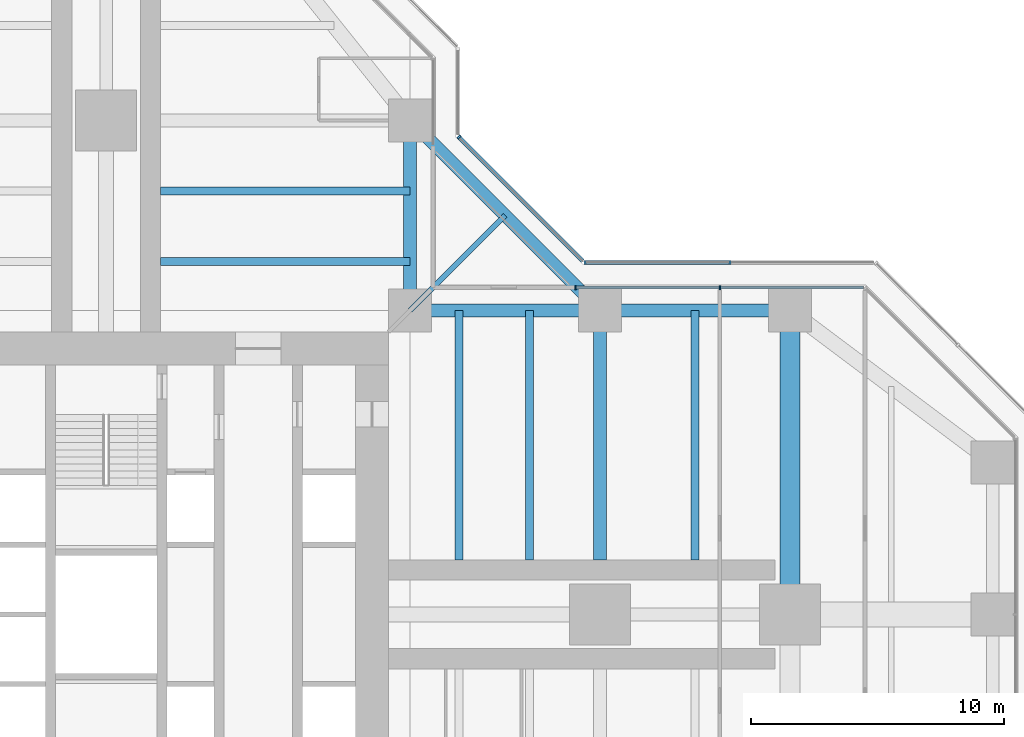
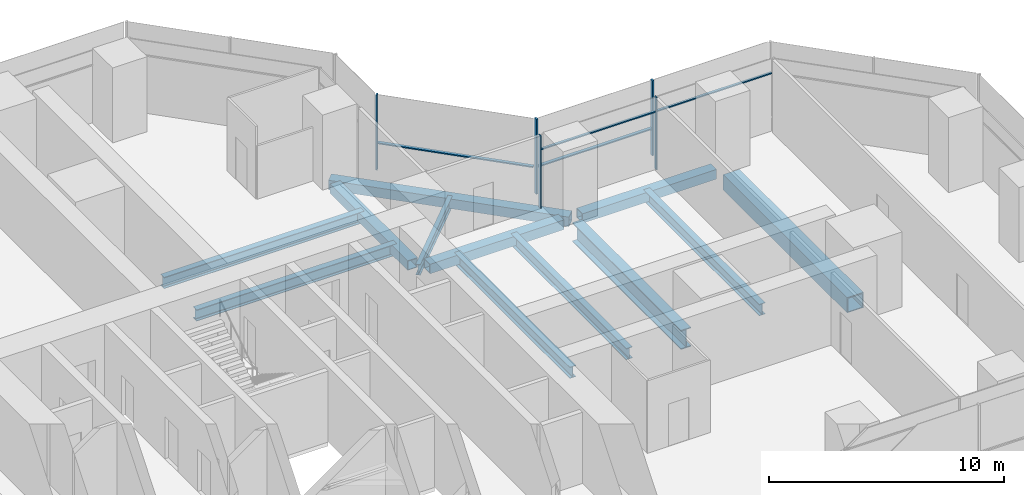
# One storey, part 9 of 20: 12 beams, 9 members, 3 elements without a shape of their own.
"""IFC4 building model written with IfcOpenShell, lengths in metres."""

from ifc_helpers import new_model, si_unit, direction, frame, origin, origin_2d, place, context, subcontext, project, spatial, rectangle, hollow_rectangle, i_section, extrude, material, material_profile, profile_set, type_object, element, aggregate, save


model = new_model("IFC4")

# Units and contexts
model_context = context("Model", 3, precision=1e-05, world=origin(), true_north=direction((0.0, 1.0)))
body_context = subcontext(model_context, "Body", "Model", "MODEL_VIEW")
ifc_project = project(units=[si_unit("LENGTHUNIT", "METRE"), si_unit("AREAUNIT", "SQUARE_METRE"), si_unit("VOLUMEUNIT", "CUBIC_METRE"), si_unit("PLANEANGLEUNIT", "RADIAN"), si_unit("MASSUNIT", "GRAM", prefix="KILO")], contexts=[model_context])

# Site, building, storey
site_placement = place(None, origin())
site = spatial("IfcSite", under=ifc_project, at=site_placement, CompositionType="ELEMENT")
building_placement = place(site_placement, origin())
building = spatial("IfcBuilding", under=site, at=building_placement, Name="Mizan Broadcast Tower", CompositionType="ELEMENT")
storey_placement = place(building_placement, frame((0.0, 0.0, 174.89990234375)))
storey = spatial("IfcBuildingStorey", under=building, at=storey_placement, Name="L40", CompositionType="ELEMENT", Elevation=174.89990234375)

# Beams
ifc_material_1 = material(Name="Steel S355", Category="steel")
ifc_material_profile_1 = material_profile(ifc_material_1, hollow_rectangle(XDim=0.5, YDim=0.5, WallThickness=0.030029296875, at=origin_2d()), Name="BOX 500x500x30")
ifc_profile_set_1 = profile_set([ifc_material_profile_1], Name="Steel S355")
beam_type_1 = type_object("IfcBeamType", Name="EDGE BEAM BOX 500x500x30", PredefinedType="SPANDREL", material=ifc_profile_set_1)
for number, where, z_axis, x_axis, name in (
    (1, (12.449951171875, 12.0, -0.3798828125), (1.0, 0.0, 0.0), (0.0, 1.0, 0.0), "Edge beam BOX 500x500x30 L40 east arm"),
    (2, (19.949951171875, 12.0, -0.3798828125), (1.0, 0.0, 0.0), (0.0, 1.0, 0.0), "Edge beam BOX 500x500x30 L40 east arm"),
    (3, (12.0, 12.449951171875, -0.3798828125), (0.0, 1.0, 0.0), (-1.0, 0.0, 0.0), "Edge beam BOX 500x500x30 L40 north arm"),
):
    element("IfcBeam", number, at=place(storey_placement, frame(where, z_axis=z_axis, x_axis=x_axis)), inside=storey, type_object=beam_type_1, Name=name, PredefinedType="SPANDREL", context=body_context, shape_type="SweptSolid", body=[
        extrude(hollow_rectangle(XDim=0.5, YDim=0.5, WallThickness=0.030029296875, at=origin_2d()), origin(), (0.0, 0.0, 1.0), 6.60009765625),
    ])
beam_1_placement = place(storey_placement, frame((19.5, 12.0, -0.3798828125), z_axis=(-0.707106781187, 0.707106781187, 0.0), x_axis=(-0.707106781187, -0.707106781187, 0.0)))
element("IfcBeam", 4, at=beam_1_placement, inside=storey, type_object=beam_type_1, Name="Winter garden edge beam L40 E", PredefinedType="SPANDREL", context=body_context, shape_type="SweptSolid", body=[
    extrude(hollow_rectangle(XDim=0.5, YDim=0.5, WallThickness=0.030029296875, at=origin_2d()), origin(), (0.0, 0.0, 1.0), 10.606689453125),
])
ifc_material_2 = material(Name="Steel S460", Category="steel")
ifc_material_profile_2 = material_profile(ifc_material_2, hollow_rectangle(XDim=0.800048828125, YDim=0.800048828125, WallThickness=0.050048828125, at=origin_2d()), Name="BOX 800x800x50")
ifc_profile_set_2 = profile_set([ifc_material_profile_2], Name="Steel S460")
beam_type_2 = type_object("IfcBeamType", Name="GIRDER BOX 800x800x50", PredefinedType="BEAM", material=ifc_profile_set_2)
beam_2_placement = place(storey_placement, frame((27.0, 11.280029296875, -0.52978515625), z_axis=(0.0, -1.0, 0.0), x_axis=(1.0, 0.0, 0.0)))
element("IfcBeam", 5, at=beam_2_placement, inside=storey, type_object=beam_type_2, Name="Girder BOX 800x800x50 L40 east arm", PredefinedType="BEAM", context=body_context, shape_type="SweptSolid", body=[
    extrude(hollow_rectangle(XDim=0.800048828125, YDim=0.800048828125, WallThickness=0.050048828125, at=origin_2d()), origin(), (0.0, 0.0, 1.0), 10.56005859375),
])
ifc_material_3 = material(Name="Steel S460", Category="steel")
ifc_material_profile_3 = material_profile(ifc_material_3, i_section(OverallWidth=0.5, OverallDepth=1.0, WebThickness=0.02490234375, FlangeThickness=0.050048828125, at=origin_2d()), Name="WPG 1000x500")
ifc_profile_set_3 = profile_set([ifc_material_profile_3], Name="Steel S460")
beam_type_3 = type_object("IfcBeamType", Name="GIRDER WPG 1000x500", PredefinedType="BEAM", material=ifc_profile_set_3)
beam_3_placement = place(storey_placement, frame((19.5, 11.408935546875, -0.6298828125), z_axis=(0.0, -1.0, 0.0), x_axis=(1.0, 0.0, 0.0)))
element("IfcBeam", 6, at=beam_3_placement, inside=storey, type_object=beam_type_3, Name="Girder WPG 1000x500 L40 east arm", PredefinedType="BEAM", context=body_context, shape_type="SweptSolid", body=[
    extrude(i_section(OverallWidth=0.5, OverallDepth=1.0, WebThickness=0.02490234375, FlangeThickness=0.050048828125, at=origin_2d()), origin(), (0.0, 0.0, 1.0), 9.259033203125),
])

# Curtain wall, members
ifc_material_4 = material(Name="Aluminium framed glazing", Category="aluminium")
curtain_wall_type_1 = type_object("IfcCurtainWallType", Name="INNER SKIN MID ZONE", PredefinedType="USERDEFINED", material=ifc_material_4)
curtain_wall_1_placement = place(storey_placement, origin())
curtain_wall_1 = element("IfcCurtainWall", 7, at=curtain_wall_1_placement, inside=storey, type_object=curtain_wall_type_1, Name="Inner skin mid zone L40 E side", ObjectType="INNER SKIN MID ZONE", PredefinedType="USERDEFINED")
ifc_material_5 = material(Name="Aluminium, pale anodised", Category="aluminium")
ifc_material_profile_4 = material_profile(ifc_material_5, rectangle(XDim=0.159912109375, YDim=0.06005859375, at=origin_2d()), Name="MULLION 160x60")
ifc_profile_set_4 = profile_set([ifc_material_profile_4], Name="Aluminium, pale anodised")
member_type_1 = type_object("IfcMemberType", Name="INNER SKIN MULLION 60x160", PredefinedType="MULLION", material=ifc_profile_set_4)
member_1_placement = place(storey_placement, frame((24.229248046875, 12.89990234375, 0.0), z_axis=(0.0, 0.0, 1.0), x_axis=(0.0, -1.0, 0.0)))
member_1 = element("IfcMember", 8, at=member_1_placement, type_object=member_type_1, Name="Inner skin mid zone L40 E side mullion 2", PredefinedType="MULLION", context=body_context, shape_type="SweptSolid", body=[
    extrude(rectangle(XDim=0.159912109375, YDim=0.06005859375, at=origin_2d()), origin(), (0.0, 0.0, 1.0), 3.77001953125),
])
member_2_placement = place(storey_placement, frame((18.530029296875, 12.89990234375, 0.0), z_axis=(0.0, 0.0, 1.0), x_axis=(0.0, -1.0, 0.0)))
member_2 = element("IfcMember", 9, at=member_2_placement, type_object=member_type_1, Name="Inner skin mid zone L40 E side mullion 3", PredefinedType="MULLION", context=body_context, shape_type="SweptSolid", body=[
    extrude(rectangle(XDim=0.159912109375, YDim=0.06005859375, at=origin_2d()), origin(), (0.0, 0.0, 1.0), 3.77001953125),
])
ifc_material_6 = material(Name="Aluminium, pale anodised", Category="aluminium")
ifc_material_profile_5 = material_profile(ifc_material_6, rectangle(XDim=0.1201171875, YDim=0.06005859375, at=origin_2d()), Name="TRANSOM 120x60")
ifc_profile_set_5 = profile_set([ifc_material_profile_5], Name="Aluminium, pale anodised")
member_type_2 = type_object("IfcMemberType", Name="INNER SKIN TRANSOM 60x120", PredefinedType="USERDEFINED", material=ifc_profile_set_5)
member_3_placement = place(storey_placement, frame((29.898681640625, 12.89990234375, 3.030029296875), z_axis=(-1.0, 0.0, 0.0), x_axis=(0.0, -1.0, 0.0)))
member_3 = element("IfcMember", 10, at=member_3_placement, type_object=member_type_2, Name="Inner skin mid zone L40 E side transom 1.1", ObjectType="TRANSOM", PredefinedType="USERDEFINED", context=body_context, shape_type="SweptSolid", body=[
    extrude(rectangle(XDim=0.1201171875, YDim=0.06005859375, at=origin_2d()), origin(), (0.0, 0.0, 1.0), 5.639404296875),
])
member_4_placement = place(storey_placement, frame((24.19921875, 12.89990234375, 3.030029296875), z_axis=(-1.0, 0.0, 0.0), x_axis=(0.0, -1.0, 0.0)))
member_4 = element("IfcMember", 11, at=member_4_placement, type_object=member_type_2, Name="Inner skin mid zone L40 E side transom 2.1", ObjectType="TRANSOM", PredefinedType="USERDEFINED", context=body_context, shape_type="SweptSolid", body=[
    extrude(rectangle(XDim=0.1201171875, YDim=0.06005859375, at=origin_2d()), origin(), (0.0, 0.0, 1.0), 5.63916015625),
])
aggregate(curtain_wall_1, [member_1, member_2, member_3, member_4])

ifc_material_7 = material(Name="Aluminium framed glazing", Category="aluminium")
curtain_wall_type_2 = type_object("IfcCurtainWallType", Name="OUTER SKIN", PredefinedType="USERDEFINED", material=ifc_material_7)
curtain_wall_2_placement = place(storey_placement, origin())
curtain_wall_2 = element("IfcCurtainWall", 12, at=curtain_wall_2_placement, inside=storey, type_object=curtain_wall_type_2, Name="Outer skin L40 E side", ObjectType="OUTER SKIN", PredefinedType="USERDEFINED")
ifc_material_8 = material(Name="Aluminium, pale anodised", Category="aluminium")
ifc_material_profile_6 = material_profile(ifc_material_8, rectangle(XDim=0.159912109375, YDim=0.080078125, at=origin_2d()), Name="MULLION 160x80")
ifc_profile_set_6 = profile_set([ifc_material_profile_6], Name="Aluminium, pale anodised")
member_type_3 = type_object("IfcMemberType", Name="OUTER SKIN MULLION 80x160", PredefinedType="MULLION", material=ifc_profile_set_6)
member_5_placement = place(storey_placement, frame((24.622802734375, 13.89990234375, 0.0), z_axis=(0.0, 0.0, 1.0), x_axis=(0.0, -1.0, 0.0)))
member_5 = element("IfcMember", 13, at=member_5_placement, type_object=member_type_3, Name="Outer skin L40 E side mullion 2", PredefinedType="MULLION", context=body_context, shape_type="SweptSolid", body=[
    extrude(rectangle(XDim=0.159912109375, YDim=0.080078125, at=origin_2d()), origin(), (0.0, 0.0, 1.0), 3.900146484375),
])
member_6_placement = place(storey_placement, frame((18.912841796875, 13.89990234375, 0.0), z_axis=(0.0, 0.0, 1.0), x_axis=(0.0, -1.0, 0.0)))
member_6 = element("IfcMember", 14, at=member_6_placement, type_object=member_type_3, Name="Outer skin L40 E side mullion 3", PredefinedType="MULLION", context=body_context, shape_type="SweptSolid", body=[
    extrude(rectangle(XDim=0.159912109375, YDim=0.080078125, at=origin_2d()), origin(), (0.0, 0.0, 1.0), 3.900146484375),
])

# Curtain wall, member
curtain_wall_3_placement = place(storey_placement, origin())
curtain_wall_3 = element("IfcCurtainWall", 15, at=curtain_wall_3_placement, inside=storey, type_object=curtain_wall_type_2, Name="Outer skin L40 E chamfer", ObjectType="OUTER SKIN", PredefinedType="USERDEFINED")
member_7_placement = place(storey_placement, frame((13.92822265625, 18.844482421875, 0.0), z_axis=(0.0, 0.0, 1.0), x_axis=(-0.707106781187, -0.707106781187, 0.0)))
member_7 = element("IfcMember", 16, at=member_7_placement, type_object=member_type_3, Name="Outer skin L40 E chamfer mullion 2", PredefinedType="MULLION", context=body_context, shape_type="SweptSolid", body=[
    extrude(rectangle(XDim=0.159912109375, YDim=0.080078125, at=origin_2d()), origin(), (0.0, 0.0, 1.0), 3.900146484375),
])

# Member
ifc_material_9 = material(Name="Aluminium, pale anodised", Category="aluminium")
ifc_material_profile_7 = material_profile(ifc_material_9, rectangle(XDim=0.159912109375, YDim=0.06005859375, at=origin_2d()), Name="TRANSOM 160x60")
ifc_profile_set_7 = profile_set([ifc_material_profile_7], Name="Aluminium, pale anodised")
member_type_4 = type_object("IfcMemberType", Name="OUTER SKIN TRANSOM 60x160", PredefinedType="USERDEFINED", material=ifc_profile_set_7)
member_8_placement = place(storey_placement, frame((24.582763671875, 13.89990234375, 1.400146484375), z_axis=(-1.0, 0.0, 0.0), x_axis=(0.0, -1.0, 0.0)))
member_8 = element("IfcMember", 17, at=member_8_placement, type_object=member_type_4, Name="Outer skin L40 E side transom 2.1", ObjectType="TRANSOM", PredefinedType="USERDEFINED", context=body_context, shape_type="SweptSolid", body=[
    extrude(rectangle(XDim=0.159912109375, YDim=0.06005859375, at=origin_2d()), origin(), (0.0, 0.0, 1.0), 5.6298828125),
])

aggregate(curtain_wall_2, [member_5, member_6, member_8])

member_9_placement = place(storey_placement, frame((18.816162109375, 13.95654296875, 1.400146484375), z_axis=(-0.707106781187, 0.707106781187, 0.0), x_axis=(-0.707106781187, -0.707106781187, 0.0)))
member_9 = element("IfcMember", 18, at=member_9_placement, type_object=member_type_4, Name="Outer skin L40 E chamfer transom 1.1", ObjectType="TRANSOM", PredefinedType="USERDEFINED", context=body_context, shape_type="SweptSolid", body=[
    extrude(rectangle(XDim=0.159912109375, YDim=0.06005859375, at=origin_2d()), origin(), (0.0, 0.0, 1.0), 6.87255859375),
])

aggregate(curtain_wall_3, [member_7, member_9])

# Beams
ifc_material_10 = material(Name="Steel S355", Category="steel")
ifc_material_profile_8 = material_profile(ifc_material_10, i_section(OverallWidth=0.300048828125, OverallDepth=0.590087890625, WebThickness=0.012939453125, FlangeThickness=0.02490234375, FilletRadius=0.027099609375, at=origin_2d()), Name="HEA 600")
ifc_profile_set_8 = profile_set([ifc_material_profile_8], Name="Steel S355")
beam_type_4 = type_object("IfcBeamType", Name="SECONDARY BEAM HEA 600", PredefinedType="JOIST", material=ifc_profile_set_8)
for number, where, z_axis, x_axis, name in (
    (19, (13.933349609375, 12.0, -0.4248046875), (0.0, -1.0, 0.0), (1.0, 0.0, 0.0), "Secondary beam HEA 600 L40 east arm"),
    (20, (16.716552734375, 12.0, -0.4248046875), (0.0, -1.0, 0.0), (1.0, 0.0, 0.0), "Secondary beam HEA 600 L40 east arm"),
    (21, (23.25, 12.0, -0.4248046875), (0.0, -1.0, 0.0), (1.0, 0.0, 0.0), "Secondary beam HEA 600 L40 east arm"),
    (22, (12.0, 13.933349609375, -0.4248046875), (-1.0, 0.0, 0.0), (0.0, -1.0, 0.0), "Secondary beam HEA 600 L40 north arm"),
    (23, (12.0, 16.716552734375, -0.4248046875), (-1.0, 0.0, 0.0), (0.0, -1.0, 0.0), "Secondary beam HEA 600 L40 north arm"),
):
    element("IfcBeam", number, at=place(storey_placement, frame(where, z_axis=z_axis, x_axis=x_axis)), inside=storey, type_object=beam_type_4, Name=name, PredefinedType="JOIST", context=body_context, shape_type="SweptSolid", body=[
        extrude(i_section(OverallWidth=0.300048828125, OverallDepth=0.590087890625, WebThickness=0.012939453125, FlangeThickness=0.02490234375, FilletRadius=0.027099609375, at=origin_2d()), origin(), (0.0, 0.0, 1.0), 9.85009765625),
    ])
ifc_material_11 = material(Name="Steel S355", Category="steel")
ifc_material_profile_9 = material_profile(ifc_material_11, i_section(OverallWidth=0.2099609375, OverallDepth=0.550048828125, WebThickness=0.010986328125, FlangeThickness=0.01708984375, FilletRadius=0.02392578125, at=origin_2d()), Name="IPE 550")
ifc_profile_set_9 = profile_set([ifc_material_profile_9], Name="Steel S355")
beam_type_5 = type_object("IfcBeamType", Name="SECONDARY BEAM IPE 550", PredefinedType="JOIST", material=ifc_profile_set_9)
beam_4_placement = place(storey_placement, frame((12.0, 12.0, -0.40478515625), z_axis=(0.707106781187, 0.707106781187, 0.0), x_axis=(-0.707106781187, 0.707106781187, 0.0)))
element("IfcBeam", 24, at=beam_4_placement, inside=storey, type_object=beam_type_5, Name="Winter garden beam L40 E", PredefinedType="JOIST", context=body_context, shape_type="SweptSolid", body=[
    extrude(i_section(OverallWidth=0.2099609375, OverallDepth=0.550048828125, WebThickness=0.010986328125, FlangeThickness=0.01708984375, FilletRadius=0.02392578125, at=origin_2d()), origin(), (0.0, 0.0, 1.0), 5.30322265625),
])

save(model, "model.ifc")
